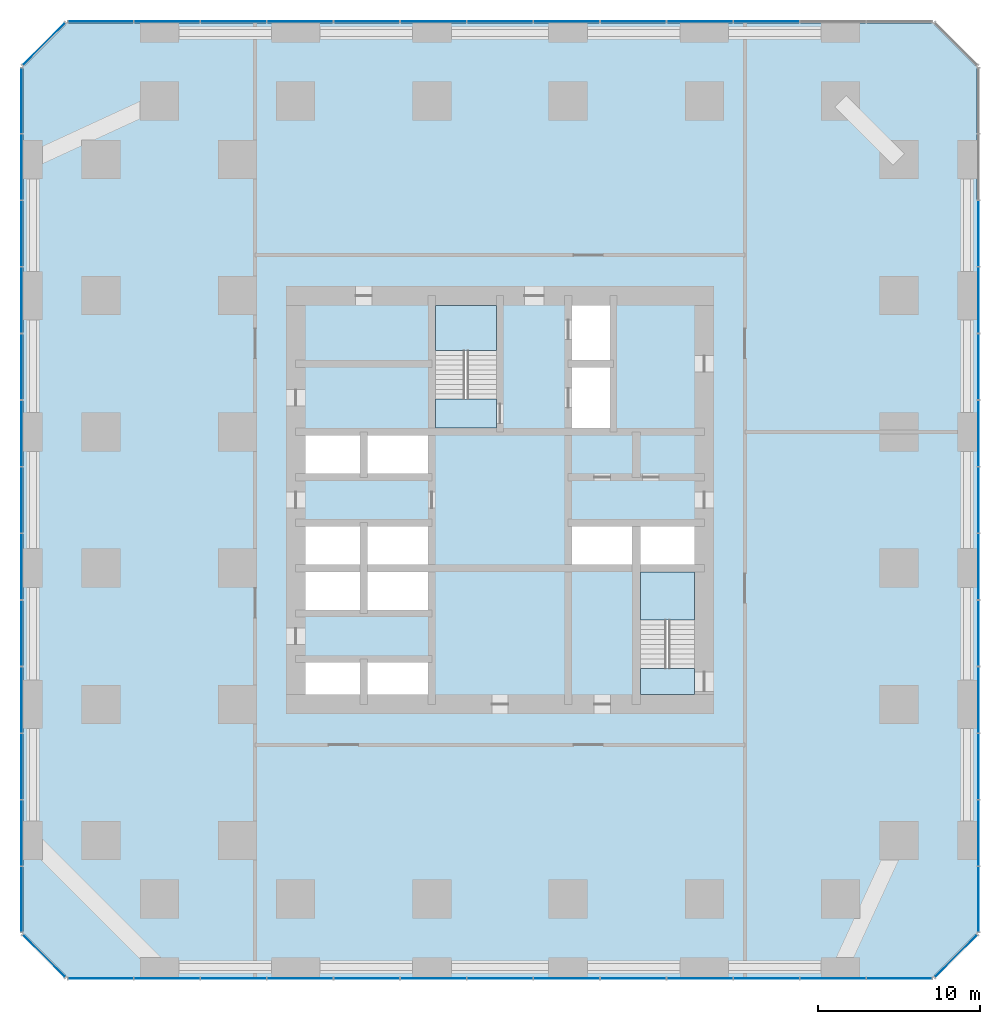
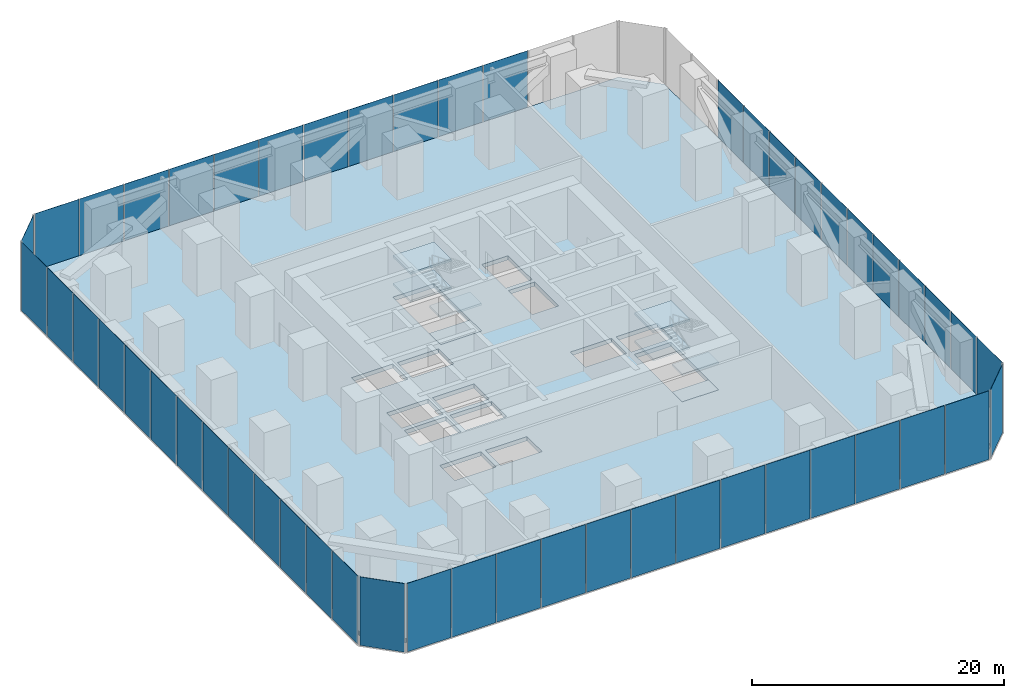
# One storey, part 8 of 11: 51 plates, 9 slabs, 9 elements without a shape of their own.
"""IFC4 building model written with IfcOpenShell, lengths in metres."""

from ifc_helpers import new_model, si_unit, direction, frame, origin, origin_2d, place, context, subcontext, project, spatial, polyline, rectangle, outline, extrude, material, layer, layer_set, type_object, element, aggregate, save


model = new_model("IFC4")

# Units and contexts
model_context = context("Model", 3, precision=1e-05, world=origin(), true_north=direction((0.0, 1.0)))
body_context = subcontext(model_context, "Body", "Model", "MODEL_VIEW")
ifc_project = project(units=[si_unit("LENGTHUNIT", "METRE"), si_unit("AREAUNIT", "SQUARE_METRE"), si_unit("VOLUMEUNIT", "CUBIC_METRE"), si_unit("PLANEANGLEUNIT", "RADIAN"), si_unit("MASSUNIT", "GRAM", prefix="KILO")], contexts=[model_context])

# Site, building, storey
site_placement = place(None, origin())
site = spatial("IfcSite", under=ifc_project, at=site_placement, CompositionType="ELEMENT")
building_placement = place(site_placement, origin())
building = spatial("IfcBuilding", under=site, at=building_placement, Name="Dunama Terrace Hotel", CompositionType="ELEMENT")
storey_placement = place(building_placement, frame((0.0, 0.0, 88.199951171875)))
storey = spatial("IfcBuildingStorey", under=building, at=storey_placement, Name="L22", CompositionType="ELEMENT", Elevation=88.199951171875)

# Curtain wall, plates
ifc_material_1 = material(Name="Aluminium curtain wall system", Category="aluminium")
curtain_wall_type = type_object("IfcCurtainWallType", Name="Plant floor louvred glazing CW-G", PredefinedType="NOTDEFINED", material=ifc_material_1)
curtain_wall_1_placement = place(storey_placement, origin())
curtain_wall_1 = element("IfcCurtainWall", 1, at=curtain_wall_1_placement, inside=storey, type_object=curtain_wall_type, Name="Plant floor louvred glazing CW-G L22", PredefinedType="NOTDEFINED")
ifc_material_2 = material(Name="Aluminium louvre blades", Category="aluminium")
ifc_layer_1 = layer(ifc_material_2, 0.02392578125)
ifc_layer_set_1 = layer_set([ifc_layer_1], Name="CWG louvre panel")
plate_type = type_object("IfcPlateType", Name="CWG louvre panel", PredefinedType="CURTAIN_PANEL", material=ifc_layer_set_1)
plate_1_placement = place(storey_placement, frame((4.77294921875, -0.10009765625, -1.23583984375), z_axis=(0.0, 0.0, 1.0), x_axis=(1.0, 0.0, 0.0)))
plate_1 = element("IfcPlate", 2, at=plate_1_placement, type_object=plate_type, Name="CWG louvre panel", PredefinedType="CURTAIN_PANEL", context=body_context, shape_type="SweptSolid", body=[
    extrude(rectangle(XDim=3.9951171875, YDim=0.02392578125, at=origin_2d()), origin(), (0.0, 0.0, 1.0), 6.635986328125),
])
plate_2_placement = place(storey_placement, frame((8.862060546875, -0.10009765625, -1.23583984375), z_axis=(0.0, 0.0, 1.0), x_axis=(1.0, 0.0, 0.0)))
plate_2 = element("IfcPlate", 3, at=plate_2_placement, type_object=plate_type, Name="CWG louvre panel", PredefinedType="CURTAIN_PANEL", context=body_context, shape_type="SweptSolid", body=[
    extrude(rectangle(XDim=4.03271484375, YDim=0.02392578125, at=origin_2d()), origin(), (0.0, 0.0, 1.0), 6.635986328125),
])
plate_3_placement = place(storey_placement, frame((12.968994140625, -0.10009765625, -1.23583984375), z_axis=(0.0, 0.0, 1.0), x_axis=(1.0, 0.0, 0.0)))
plate_3 = element("IfcPlate", 4, at=plate_3_placement, type_object=plate_type, Name="CWG louvre panel", PredefinedType="CURTAIN_PANEL", context=body_context, shape_type="SweptSolid", body=[
    extrude(rectangle(XDim=4.03271484375, YDim=0.02392578125, at=origin_2d()), origin(), (0.0, 0.0, 1.0), 6.635986328125),
])
plate_4_placement = place(storey_placement, frame((17.076904296875, -0.10009765625, -1.23583984375), z_axis=(0.0, 0.0, 1.0), x_axis=(1.0, 0.0, 0.0)))
plate_4 = element("IfcPlate", 5, at=plate_4_placement, type_object=plate_type, Name="CWG louvre panel", PredefinedType="CURTAIN_PANEL", context=body_context, shape_type="SweptSolid", body=[
    extrude(rectangle(XDim=4.03271484375, YDim=0.02392578125, at=origin_2d()), origin(), (0.0, 0.0, 1.0), 6.635986328125),
])
plate_5_placement = place(storey_placement, frame((21.18505859375, -0.10009765625, -1.23583984375), z_axis=(0.0, 0.0, 1.0), x_axis=(1.0, 0.0, 0.0)))
plate_5 = element("IfcPlate", 6, at=plate_5_placement, type_object=plate_type, Name="CWG louvre panel", PredefinedType="CURTAIN_PANEL", context=body_context, shape_type="SweptSolid", body=[
    extrude(rectangle(XDim=4.03271484375, YDim=0.02392578125, at=origin_2d()), origin(), (0.0, 0.0, 1.0), 6.635986328125),
])
plate_6_placement = place(storey_placement, frame((25.2919921875, -0.10009765625, -1.23583984375), z_axis=(0.0, 0.0, 1.0), x_axis=(1.0, 0.0, 0.0)))
plate_6 = element("IfcPlate", 7, at=plate_6_placement, type_object=plate_type, Name="CWG louvre panel", PredefinedType="CURTAIN_PANEL", context=body_context, shape_type="SweptSolid", body=[
    extrude(rectangle(XDim=4.03271484375, YDim=0.02392578125, at=origin_2d()), origin(), (0.0, 0.0, 1.0), 6.635986328125),
])
plate_7_placement = place(storey_placement, frame((29.39990234375, -0.10009765625, -1.23583984375), z_axis=(0.0, 0.0, 1.0), x_axis=(1.0, 0.0, 0.0)))
plate_7 = element("IfcPlate", 8, at=plate_7_placement, type_object=plate_type, Name="CWG louvre panel", PredefinedType="CURTAIN_PANEL", context=body_context, shape_type="SweptSolid", body=[
    extrude(rectangle(XDim=4.03271484375, YDim=0.02392578125, at=origin_2d()), origin(), (0.0, 0.0, 1.0), 6.635986328125),
])
plate_8_placement = place(storey_placement, frame((33.508056640625, -0.10009765625, -1.23583984375), z_axis=(0.0, 0.0, 1.0), x_axis=(1.0, 0.0, 0.0)))
plate_8 = element("IfcPlate", 9, at=plate_8_placement, type_object=plate_type, Name="CWG louvre panel", PredefinedType="CURTAIN_PANEL", context=body_context, shape_type="SweptSolid", body=[
    extrude(rectangle(XDim=4.03271484375, YDim=0.02392578125, at=origin_2d()), origin(), (0.0, 0.0, 1.0), 6.635986328125),
])
plate_9_placement = place(storey_placement, frame((37.614990234375, -0.10009765625, -1.23583984375), z_axis=(0.0, 0.0, 1.0), x_axis=(1.0, 0.0, 0.0)))
plate_9 = element("IfcPlate", 10, at=plate_9_placement, type_object=plate_type, Name="CWG louvre panel", PredefinedType="CURTAIN_PANEL", context=body_context, shape_type="SweptSolid", body=[
    extrude(rectangle(XDim=4.03271484375, YDim=0.02392578125, at=origin_2d()), origin(), (0.0, 0.0, 1.0), 6.635986328125),
])
plate_10_placement = place(storey_placement, frame((41.722900390625, -0.10009765625, -1.23583984375), z_axis=(0.0, 0.0, 1.0), x_axis=(1.0, 0.0, 0.0)))
plate_10 = element("IfcPlate", 11, at=plate_10_placement, type_object=plate_type, Name="CWG louvre panel", PredefinedType="CURTAIN_PANEL", context=body_context, shape_type="SweptSolid", body=[
    extrude(rectangle(XDim=4.03271484375, YDim=0.02392578125, at=origin_2d()), origin(), (0.0, 0.0, 1.0), 6.635986328125),
])
plate_11_placement = place(storey_placement, frame((45.8310546875, -0.10009765625, -1.23583984375), z_axis=(0.0, 0.0, 1.0), x_axis=(1.0, 0.0, 0.0)))
plate_11 = element("IfcPlate", 12, at=plate_11_placement, type_object=plate_type, Name="CWG louvre panel", PredefinedType="CURTAIN_PANEL", context=body_context, shape_type="SweptSolid", body=[
    extrude(rectangle(XDim=4.03271484375, YDim=0.02392578125, at=origin_2d()), origin(), (0.0, 0.0, 1.0), 6.635986328125),
])
plate_12_placement = place(storey_placement, frame((49.93798828125, -0.10009765625, -1.23583984375), z_axis=(0.0, 0.0, 1.0), x_axis=(1.0, 0.0, 0.0)))
plate_12 = element("IfcPlate", 13, at=plate_12_placement, type_object=plate_type, Name="CWG louvre panel", PredefinedType="CURTAIN_PANEL", context=body_context, shape_type="SweptSolid", body=[
    extrude(rectangle(XDim=4.03271484375, YDim=0.02392578125, at=origin_2d()), origin(), (0.0, 0.0, 1.0), 6.635986328125),
])
plate_13_placement = place(storey_placement, frame((54.027099609375, -0.10009765625, -1.23583984375), z_axis=(0.0, 0.0, 1.0), x_axis=(1.0, 0.0, 0.0)))
plate_13 = element("IfcPlate", 14, at=plate_13_placement, type_object=plate_type, Name="CWG louvre panel", PredefinedType="CURTAIN_PANEL", context=body_context, shape_type="SweptSolid", body=[
    extrude(rectangle(XDim=3.9951171875, YDim=0.02392578125, at=origin_2d()), origin(), (0.0, 0.0, 1.0), 6.635986328125),
])
aggregate(curtain_wall_1, [plate_1, plate_2, plate_3, plate_4, plate_5, plate_6, plate_7, plate_8, plate_9, plate_10, plate_11, plate_12, plate_13])

# Curtain wall, plate
curtain_wall_2_placement = place(storey_placement, origin())
curtain_wall_2 = element("IfcCurtainWall", 15, at=curtain_wall_2_placement, inside=storey, type_object=curtain_wall_type, Name="Plant floor louvred glazing CW-G L22", PredefinedType="NOTDEFINED")
plate_14_placement = place(storey_placement, frame((57.52099609375, 1.279052734375, -1.23583984375), z_axis=(0.0, 0.0, 1.0), x_axis=(0.707106781187, 0.707106781187, 0.0)))
plate_14 = element("IfcPlate", 16, at=plate_14_placement, type_object=plate_type, Name="CWG louvre panel", PredefinedType="CURTAIN_PANEL", context=body_context, shape_type="SweptSolid", body=[
    extrude(rectangle(XDim=3.66845703125, YDim=0.02392578125, at=origin_2d()), origin(), (0.0, 0.0, 1.0), 6.635986328125),
])
aggregate(curtain_wall_2, [plate_14])

# Curtain wall, plates
curtain_wall_3_placement = place(storey_placement, origin())
curtain_wall_3 = element("IfcCurtainWall", 17, at=curtain_wall_3_placement, inside=storey, type_object=curtain_wall_type, Name="Plant floor louvred glazing CW-G L22", PredefinedType="NOTDEFINED")
plate_15_placement = place(storey_placement, frame((58.89990234375, 4.77294921875, -1.23583984375), z_axis=(0.0, 0.0, 1.0), x_axis=(0.0, 1.0, 0.0)))
plate_15 = element("IfcPlate", 18, at=plate_15_placement, type_object=plate_type, Name="CWG louvre panel", PredefinedType="CURTAIN_PANEL", context=body_context, shape_type="SweptSolid", body=[
    extrude(rectangle(XDim=3.9951171875, YDim=0.02392578125, at=origin_2d()), origin(), (0.0, 0.0, 1.0), 6.635986328125),
])
plate_16_placement = place(storey_placement, frame((58.89990234375, 8.862060546875, -1.23583984375), z_axis=(0.0, 0.0, 1.0), x_axis=(0.0, 1.0, 0.0)))
plate_16 = element("IfcPlate", 19, at=plate_16_placement, type_object=plate_type, Name="CWG louvre panel", PredefinedType="CURTAIN_PANEL", context=body_context, shape_type="SweptSolid", body=[
    extrude(rectangle(XDim=4.03271484375, YDim=0.02392578125, at=origin_2d()), origin(), (0.0, 0.0, 1.0), 6.635986328125),
])
plate_17_placement = place(storey_placement, frame((58.89990234375, 12.968994140625, -1.23583984375), z_axis=(0.0, 0.0, 1.0), x_axis=(0.0, 1.0, 0.0)))
plate_17 = element("IfcPlate", 20, at=plate_17_placement, type_object=plate_type, Name="CWG louvre panel", PredefinedType="CURTAIN_PANEL", context=body_context, shape_type="SweptSolid", body=[
    extrude(rectangle(XDim=4.03271484375, YDim=0.02392578125, at=origin_2d()), origin(), (0.0, 0.0, 1.0), 6.635986328125),
])
plate_18_placement = place(storey_placement, frame((58.89990234375, 17.076904296875, -1.23583984375), z_axis=(0.0, 0.0, 1.0), x_axis=(0.0, 1.0, 0.0)))
plate_18 = element("IfcPlate", 21, at=plate_18_placement, type_object=plate_type, Name="CWG louvre panel", PredefinedType="CURTAIN_PANEL", context=body_context, shape_type="SweptSolid", body=[
    extrude(rectangle(XDim=4.03271484375, YDim=0.02392578125, at=origin_2d()), origin(), (0.0, 0.0, 1.0), 6.635986328125),
])
plate_19_placement = place(storey_placement, frame((58.89990234375, 21.18505859375, -1.23583984375), z_axis=(0.0, 0.0, 1.0), x_axis=(0.0, 1.0, 0.0)))
plate_19 = element("IfcPlate", 22, at=plate_19_placement, type_object=plate_type, Name="CWG louvre panel", PredefinedType="CURTAIN_PANEL", context=body_context, shape_type="SweptSolid", body=[
    extrude(rectangle(XDim=4.03271484375, YDim=0.02392578125, at=origin_2d()), origin(), (0.0, 0.0, 1.0), 6.635986328125),
])
plate_20_placement = place(storey_placement, frame((58.89990234375, 25.2919921875, -1.23583984375), z_axis=(0.0, 0.0, 1.0), x_axis=(0.0, 1.0, 0.0)))
plate_20 = element("IfcPlate", 23, at=plate_20_placement, type_object=plate_type, Name="CWG louvre panel", PredefinedType="CURTAIN_PANEL", context=body_context, shape_type="SweptSolid", body=[
    extrude(rectangle(XDim=4.03271484375, YDim=0.02392578125, at=origin_2d()), origin(), (0.0, 0.0, 1.0), 6.635986328125),
])
plate_21_placement = place(storey_placement, frame((58.89990234375, 29.39990234375, -1.23583984375), z_axis=(0.0, 0.0, 1.0), x_axis=(0.0, 1.0, 0.0)))
plate_21 = element("IfcPlate", 24, at=plate_21_placement, type_object=plate_type, Name="CWG louvre panel", PredefinedType="CURTAIN_PANEL", context=body_context, shape_type="SweptSolid", body=[
    extrude(rectangle(XDim=4.03271484375, YDim=0.02392578125, at=origin_2d()), origin(), (0.0, 0.0, 1.0), 6.635986328125),
])
plate_22_placement = place(storey_placement, frame((58.89990234375, 33.508056640625, -1.23583984375), z_axis=(0.0, 0.0, 1.0), x_axis=(0.0, 1.0, 0.0)))
plate_22 = element("IfcPlate", 25, at=plate_22_placement, type_object=plate_type, Name="CWG louvre panel", PredefinedType="CURTAIN_PANEL", context=body_context, shape_type="SweptSolid", body=[
    extrude(rectangle(XDim=4.03271484375, YDim=0.02392578125, at=origin_2d()), origin(), (0.0, 0.0, 1.0), 6.635986328125),
])
plate_23_placement = place(storey_placement, frame((58.89990234375, 37.614990234375, -1.23583984375), z_axis=(0.0, 0.0, 1.0), x_axis=(0.0, 1.0, 0.0)))
plate_23 = element("IfcPlate", 26, at=plate_23_placement, type_object=plate_type, Name="CWG louvre panel", PredefinedType="CURTAIN_PANEL", context=body_context, shape_type="SweptSolid", body=[
    extrude(rectangle(XDim=4.03271484375, YDim=0.02392578125, at=origin_2d()), origin(), (0.0, 0.0, 1.0), 6.635986328125),
])
plate_24_placement = place(storey_placement, frame((58.89990234375, 41.722900390625, -1.23583984375), z_axis=(0.0, 0.0, 1.0), x_axis=(0.0, 1.0, 0.0)))
plate_24 = element("IfcPlate", 27, at=plate_24_placement, type_object=plate_type, Name="CWG louvre panel", PredefinedType="CURTAIN_PANEL", context=body_context, shape_type="SweptSolid", body=[
    extrude(rectangle(XDim=4.03271484375, YDim=0.02392578125, at=origin_2d()), origin(), (0.0, 0.0, 1.0), 6.635986328125),
])
plate_25_placement = place(storey_placement, frame((58.89990234375, 45.8310546875, -1.23583984375), z_axis=(0.0, 0.0, 1.0), x_axis=(0.0, 1.0, 0.0)))
plate_25 = element("IfcPlate", 28, at=plate_25_placement, type_object=plate_type, Name="CWG louvre panel", PredefinedType="CURTAIN_PANEL", context=body_context, shape_type="SweptSolid", body=[
    extrude(rectangle(XDim=4.03271484375, YDim=0.02392578125, at=origin_2d()), origin(), (0.0, 0.0, 1.0), 6.635986328125),
])
aggregate(curtain_wall_3, [plate_15, plate_16, plate_17, plate_18, plate_19, plate_20, plate_21, plate_22, plate_23, plate_24, plate_25])

curtain_wall_4_placement = place(storey_placement, origin())
curtain_wall_4 = element("IfcCurtainWall", 29, at=curtain_wall_4_placement, inside=storey, type_object=curtain_wall_type, Name="Plant floor louvred glazing CW-G L22", PredefinedType="NOTDEFINED")
plate_26_placement = place(storey_placement, frame((45.8310546875, 58.89990234375, -1.23583984375), z_axis=(0.0, 0.0, 1.0), x_axis=(-1.0, 0.0, 0.0)))
plate_26 = element("IfcPlate", 30, at=plate_26_placement, type_object=plate_type, Name="CWG louvre panel", PredefinedType="CURTAIN_PANEL", context=body_context, shape_type="SweptSolid", body=[
    extrude(rectangle(XDim=4.03271484375, YDim=0.02392578125, at=origin_2d()), origin(), (0.0, 0.0, 1.0), 6.635986328125),
])
plate_27_placement = place(storey_placement, frame((41.722900390625, 58.89990234375, -1.23583984375), z_axis=(0.0, 0.0, 1.0), x_axis=(-1.0, 0.0, 0.0)))
plate_27 = element("IfcPlate", 31, at=plate_27_placement, type_object=plate_type, Name="CWG louvre panel", PredefinedType="CURTAIN_PANEL", context=body_context, shape_type="SweptSolid", body=[
    extrude(rectangle(XDim=4.03271484375, YDim=0.02392578125, at=origin_2d()), origin(), (0.0, 0.0, 1.0), 6.635986328125),
])
plate_28_placement = place(storey_placement, frame((37.614990234375, 58.89990234375, -1.23583984375), z_axis=(0.0, 0.0, 1.0), x_axis=(-1.0, 0.0, 0.0)))
plate_28 = element("IfcPlate", 32, at=plate_28_placement, type_object=plate_type, Name="CWG louvre panel", PredefinedType="CURTAIN_PANEL", context=body_context, shape_type="SweptSolid", body=[
    extrude(rectangle(XDim=4.03271484375, YDim=0.02392578125, at=origin_2d()), origin(), (0.0, 0.0, 1.0), 6.635986328125),
])
plate_29_placement = place(storey_placement, frame((33.508056640625, 58.89990234375, -1.23583984375), z_axis=(0.0, 0.0, 1.0), x_axis=(-1.0, 0.0, 0.0)))
plate_29 = element("IfcPlate", 33, at=plate_29_placement, type_object=plate_type, Name="CWG louvre panel", PredefinedType="CURTAIN_PANEL", context=body_context, shape_type="SweptSolid", body=[
    extrude(rectangle(XDim=4.03271484375, YDim=0.02392578125, at=origin_2d()), origin(), (0.0, 0.0, 1.0), 6.635986328125),
])
plate_30_placement = place(storey_placement, frame((29.39990234375, 58.89990234375, -1.23583984375), z_axis=(0.0, 0.0, 1.0), x_axis=(-1.0, 0.0, 0.0)))
plate_30 = element("IfcPlate", 34, at=plate_30_placement, type_object=plate_type, Name="CWG louvre panel", PredefinedType="CURTAIN_PANEL", context=body_context, shape_type="SweptSolid", body=[
    extrude(rectangle(XDim=4.03271484375, YDim=0.02392578125, at=origin_2d()), origin(), (0.0, 0.0, 1.0), 6.635986328125),
])
plate_31_placement = place(storey_placement, frame((25.2919921875, 58.89990234375, -1.23583984375), z_axis=(0.0, 0.0, 1.0), x_axis=(-1.0, 0.0, 0.0)))
plate_31 = element("IfcPlate", 35, at=plate_31_placement, type_object=plate_type, Name="CWG louvre panel", PredefinedType="CURTAIN_PANEL", context=body_context, shape_type="SweptSolid", body=[
    extrude(rectangle(XDim=4.03271484375, YDim=0.02392578125, at=origin_2d()), origin(), (0.0, 0.0, 1.0), 6.635986328125),
])
plate_32_placement = place(storey_placement, frame((21.18505859375, 58.89990234375, -1.23583984375), z_axis=(0.0, 0.0, 1.0), x_axis=(-1.0, 0.0, 0.0)))
plate_32 = element("IfcPlate", 36, at=plate_32_placement, type_object=plate_type, Name="CWG louvre panel", PredefinedType="CURTAIN_PANEL", context=body_context, shape_type="SweptSolid", body=[
    extrude(rectangle(XDim=4.03271484375, YDim=0.02392578125, at=origin_2d()), origin(), (0.0, 0.0, 1.0), 6.635986328125),
])
plate_33_placement = place(storey_placement, frame((17.076904296875, 58.89990234375, -1.23583984375), z_axis=(0.0, 0.0, 1.0), x_axis=(-1.0, 0.0, 0.0)))
plate_33 = element("IfcPlate", 37, at=plate_33_placement, type_object=plate_type, Name="CWG louvre panel", PredefinedType="CURTAIN_PANEL", context=body_context, shape_type="SweptSolid", body=[
    extrude(rectangle(XDim=4.03271484375, YDim=0.02392578125, at=origin_2d()), origin(), (0.0, 0.0, 1.0), 6.635986328125),
])
plate_34_placement = place(storey_placement, frame((12.968994140625, 58.89990234375, -1.23583984375), z_axis=(0.0, 0.0, 1.0), x_axis=(-1.0, 0.0, 0.0)))
plate_34 = element("IfcPlate", 38, at=plate_34_placement, type_object=plate_type, Name="CWG louvre panel", PredefinedType="CURTAIN_PANEL", context=body_context, shape_type="SweptSolid", body=[
    extrude(rectangle(XDim=4.03271484375, YDim=0.02392578125, at=origin_2d()), origin(), (0.0, 0.0, 1.0), 6.635986328125),
])
plate_35_placement = place(storey_placement, frame((8.862060546875, 58.89990234375, -1.23583984375), z_axis=(0.0, 0.0, 1.0), x_axis=(-1.0, 0.0, 0.0)))
plate_35 = element("IfcPlate", 39, at=plate_35_placement, type_object=plate_type, Name="CWG louvre panel", PredefinedType="CURTAIN_PANEL", context=body_context, shape_type="SweptSolid", body=[
    extrude(rectangle(XDim=4.03271484375, YDim=0.02392578125, at=origin_2d()), origin(), (0.0, 0.0, 1.0), 6.635986328125),
])
plate_36_placement = place(storey_placement, frame((4.77294921875, 58.89990234375, -1.23583984375), z_axis=(0.0, 0.0, 1.0), x_axis=(-1.0, 0.0, 0.0)))
plate_36 = element("IfcPlate", 40, at=plate_36_placement, type_object=plate_type, Name="CWG louvre panel", PredefinedType="CURTAIN_PANEL", context=body_context, shape_type="SweptSolid", body=[
    extrude(rectangle(XDim=3.9951171875, YDim=0.02392578125, at=origin_2d()), origin(), (0.0, 0.0, 1.0), 6.635986328125),
])
aggregate(curtain_wall_4, [plate_26, plate_27, plate_28, plate_29, plate_30, plate_31, plate_32, plate_33, plate_34, plate_35, plate_36])

# Curtain wall, plate
curtain_wall_5_placement = place(storey_placement, origin())
curtain_wall_5 = element("IfcCurtainWall", 41, at=curtain_wall_5_placement, inside=storey, type_object=curtain_wall_type, Name="Plant floor louvred glazing CW-G L22", PredefinedType="NOTDEFINED")
plate_37_placement = place(storey_placement, frame((1.279052734375, 57.52099609375, -1.23583984375), z_axis=(0.0, 0.0, 1.0), x_axis=(-0.707106781187, -0.707106781187, 0.0)))
plate_37 = element("IfcPlate", 42, at=plate_37_placement, type_object=plate_type, Name="CWG louvre panel", PredefinedType="CURTAIN_PANEL", context=body_context, shape_type="SweptSolid", body=[
    extrude(rectangle(XDim=3.66845703125, YDim=0.02392578125, at=origin_2d()), origin(), (0.0, 0.0, 1.0), 6.635986328125),
])
aggregate(curtain_wall_5, [plate_37])

# Curtain wall, plates
curtain_wall_6_placement = place(storey_placement, origin())
curtain_wall_6 = element("IfcCurtainWall", 43, at=curtain_wall_6_placement, inside=storey, type_object=curtain_wall_type, Name="Plant floor louvred glazing CW-G L22", PredefinedType="NOTDEFINED")
plate_38_placement = place(storey_placement, frame((-0.10009765625, 54.027099609375, -1.23583984375), z_axis=(0.0, 0.0, 1.0), x_axis=(0.0, -1.0, 0.0)))
plate_38 = element("IfcPlate", 44, at=plate_38_placement, type_object=plate_type, Name="CWG louvre panel", PredefinedType="CURTAIN_PANEL", context=body_context, shape_type="SweptSolid", body=[
    extrude(rectangle(XDim=3.9951171875, YDim=0.02392578125, at=origin_2d()), origin(), (0.0, 0.0, 1.0), 6.635986328125),
])
plate_39_placement = place(storey_placement, frame((-0.10009765625, 49.93798828125, -1.23583984375), z_axis=(0.0, 0.0, 1.0), x_axis=(0.0, -1.0, 0.0)))
plate_39 = element("IfcPlate", 45, at=plate_39_placement, type_object=plate_type, Name="CWG louvre panel", PredefinedType="CURTAIN_PANEL", context=body_context, shape_type="SweptSolid", body=[
    extrude(rectangle(XDim=4.03271484375, YDim=0.02392578125, at=origin_2d()), origin(), (0.0, 0.0, 1.0), 6.635986328125),
])
plate_40_placement = place(storey_placement, frame((-0.10009765625, 45.8310546875, -1.23583984375), z_axis=(0.0, 0.0, 1.0), x_axis=(0.0, -1.0, 0.0)))
plate_40 = element("IfcPlate", 46, at=plate_40_placement, type_object=plate_type, Name="CWG louvre panel", PredefinedType="CURTAIN_PANEL", context=body_context, shape_type="SweptSolid", body=[
    extrude(rectangle(XDim=4.03271484375, YDim=0.02392578125, at=origin_2d()), origin(), (0.0, 0.0, 1.0), 6.635986328125),
])
plate_41_placement = place(storey_placement, frame((-0.10009765625, 41.722900390625, -1.23583984375), z_axis=(0.0, 0.0, 1.0), x_axis=(0.0, -1.0, 0.0)))
plate_41 = element("IfcPlate", 47, at=plate_41_placement, type_object=plate_type, Name="CWG louvre panel", PredefinedType="CURTAIN_PANEL", context=body_context, shape_type="SweptSolid", body=[
    extrude(rectangle(XDim=4.03271484375, YDim=0.02392578125, at=origin_2d()), origin(), (0.0, 0.0, 1.0), 6.635986328125),
])
plate_42_placement = place(storey_placement, frame((-0.10009765625, 37.614990234375, -1.23583984375), z_axis=(0.0, 0.0, 1.0), x_axis=(0.0, -1.0, 0.0)))
plate_42 = element("IfcPlate", 48, at=plate_42_placement, type_object=plate_type, Name="CWG louvre panel", PredefinedType="CURTAIN_PANEL", context=body_context, shape_type="SweptSolid", body=[
    extrude(rectangle(XDim=4.03271484375, YDim=0.02392578125, at=origin_2d()), origin(), (0.0, 0.0, 1.0), 6.635986328125),
])
plate_43_placement = place(storey_placement, frame((-0.10009765625, 33.508056640625, -1.23583984375), z_axis=(0.0, 0.0, 1.0), x_axis=(0.0, -1.0, 0.0)))
plate_43 = element("IfcPlate", 49, at=plate_43_placement, type_object=plate_type, Name="CWG louvre panel", PredefinedType="CURTAIN_PANEL", context=body_context, shape_type="SweptSolid", body=[
    extrude(rectangle(XDim=4.03271484375, YDim=0.02392578125, at=origin_2d()), origin(), (0.0, 0.0, 1.0), 6.635986328125),
])
plate_44_placement = place(storey_placement, frame((-0.10009765625, 29.39990234375, -1.23583984375), z_axis=(0.0, 0.0, 1.0), x_axis=(0.0, -1.0, 0.0)))
plate_44 = element("IfcPlate", 50, at=plate_44_placement, type_object=plate_type, Name="CWG louvre panel", PredefinedType="CURTAIN_PANEL", context=body_context, shape_type="SweptSolid", body=[
    extrude(rectangle(XDim=4.03271484375, YDim=0.02392578125, at=origin_2d()), origin(), (0.0, 0.0, 1.0), 6.635986328125),
])
plate_45_placement = place(storey_placement, frame((-0.10009765625, 25.2919921875, -1.23583984375), z_axis=(0.0, 0.0, 1.0), x_axis=(0.0, -1.0, 0.0)))
plate_45 = element("IfcPlate", 51, at=plate_45_placement, type_object=plate_type, Name="CWG louvre panel", PredefinedType="CURTAIN_PANEL", context=body_context, shape_type="SweptSolid", body=[
    extrude(rectangle(XDim=4.03271484375, YDim=0.02392578125, at=origin_2d()), origin(), (0.0, 0.0, 1.0), 6.635986328125),
])
plate_46_placement = place(storey_placement, frame((-0.10009765625, 21.18505859375, -1.23583984375), z_axis=(0.0, 0.0, 1.0), x_axis=(0.0, -1.0, 0.0)))
plate_46 = element("IfcPlate", 52, at=plate_46_placement, type_object=plate_type, Name="CWG louvre panel", PredefinedType="CURTAIN_PANEL", context=body_context, shape_type="SweptSolid", body=[
    extrude(rectangle(XDim=4.03271484375, YDim=0.02392578125, at=origin_2d()), origin(), (0.0, 0.0, 1.0), 6.635986328125),
])
plate_47_placement = place(storey_placement, frame((-0.10009765625, 17.076904296875, -1.23583984375), z_axis=(0.0, 0.0, 1.0), x_axis=(0.0, -1.0, 0.0)))
plate_47 = element("IfcPlate", 53, at=plate_47_placement, type_object=plate_type, Name="CWG louvre panel", PredefinedType="CURTAIN_PANEL", context=body_context, shape_type="SweptSolid", body=[
    extrude(rectangle(XDim=4.03271484375, YDim=0.02392578125, at=origin_2d()), origin(), (0.0, 0.0, 1.0), 6.635986328125),
])
plate_48_placement = place(storey_placement, frame((-0.10009765625, 12.968994140625, -1.23583984375), z_axis=(0.0, 0.0, 1.0), x_axis=(0.0, -1.0, 0.0)))
plate_48 = element("IfcPlate", 54, at=plate_48_placement, type_object=plate_type, Name="CWG louvre panel", PredefinedType="CURTAIN_PANEL", context=body_context, shape_type="SweptSolid", body=[
    extrude(rectangle(XDim=4.03271484375, YDim=0.02392578125, at=origin_2d()), origin(), (0.0, 0.0, 1.0), 6.635986328125),
])
plate_49_placement = place(storey_placement, frame((-0.10009765625, 8.862060546875, -1.23583984375), z_axis=(0.0, 0.0, 1.0), x_axis=(0.0, -1.0, 0.0)))
plate_49 = element("IfcPlate", 55, at=plate_49_placement, type_object=plate_type, Name="CWG louvre panel", PredefinedType="CURTAIN_PANEL", context=body_context, shape_type="SweptSolid", body=[
    extrude(rectangle(XDim=4.03271484375, YDim=0.02392578125, at=origin_2d()), origin(), (0.0, 0.0, 1.0), 6.635986328125),
])
plate_50_placement = place(storey_placement, frame((-0.10009765625, 4.77294921875, -1.23583984375), z_axis=(0.0, 0.0, 1.0), x_axis=(0.0, -1.0, 0.0)))
plate_50 = element("IfcPlate", 56, at=plate_50_placement, type_object=plate_type, Name="CWG louvre panel", PredefinedType="CURTAIN_PANEL", context=body_context, shape_type="SweptSolid", body=[
    extrude(rectangle(XDim=3.9951171875, YDim=0.02392578125, at=origin_2d()), origin(), (0.0, 0.0, 1.0), 6.635986328125),
])
aggregate(curtain_wall_6, [plate_38, plate_39, plate_40, plate_41, plate_42, plate_43, plate_44, plate_45, plate_46, plate_47, plate_48, plate_49, plate_50])

# Curtain wall, plate
curtain_wall_7_placement = place(storey_placement, origin())
curtain_wall_7 = element("IfcCurtainWall", 57, at=curtain_wall_7_placement, inside=storey, type_object=curtain_wall_type, Name="Plant floor louvred glazing CW-G L22", PredefinedType="NOTDEFINED")
plate_51_placement = place(storey_placement, frame((1.279052734375, 1.279052734375, -1.23583984375), z_axis=(0.0, 0.0, 1.0), x_axis=(0.707106781187, -0.707106781187, 0.0)))
plate_51 = element("IfcPlate", 58, at=plate_51_placement, type_object=plate_type, Name="CWG louvre panel", PredefinedType="CURTAIN_PANEL", context=body_context, shape_type="SweptSolid", body=[
    extrude(rectangle(XDim=3.66845703125, YDim=0.02392578125, at=origin_2d()), origin(), (0.0, 0.0, 1.0), 6.635986328125),
])
aggregate(curtain_wall_7, [plate_51])

# Slab
ifc_material_3 = material(Name="Concrete C40/50", Category="concrete")
ifc_layer_2 = layer(ifc_material_3, 0.39990234375)
ifc_layer_set_2 = layer_set([ifc_layer_2], Name="Plant floor plate 400")
slab_type_1 = type_object("IfcSlabType", Name="Plant floor plate 400", PredefinedType="FLOOR", material=ifc_layer_set_2)
slab_1_placement = place(storey_placement, frame((0.0, 0.0, -0.39990234375)))
element("IfcSlab", 59, at=slab_1_placement, inside=storey, type_object=slab_type_1, Name="Floor slab L22", PredefinedType="FLOOR", context=body_context, shape_type="SweptSolid", body=[
    extrude(outline(polyline([(2.699951171875, 0.0), (56.10009765625, 0.0), (58.800048828125, 2.699951171875), (58.800048828125, 56.10009765625), (56.10009765625, 58.800048828125), (2.699951171875, 58.800048828125), (0.0, 56.10009765625), (0.0, 2.699951171875), (2.699951171875, 0.0)]), holes=[polyline([(20.800048828125, 25.39990234375), (20.800048828125, 27.800048828125), (17.0, 27.800048828125), (17.0, 25.39990234375), (20.800048828125, 25.39990234375)]), polyline([(25.0, 25.39990234375), (25.0, 27.800048828125), (21.199951171875, 27.800048828125), (21.199951171875, 25.39990234375), (25.0, 25.39990234375)]), polyline([(20.800048828125, 31.0), (20.800048828125, 33.39990234375), (17.0, 33.39990234375), (17.0, 31.0), (20.800048828125, 31.0)]), polyline([(25.0, 31.0), (25.0, 33.39990234375), (21.199951171875, 33.39990234375), (21.199951171875, 31.0), (25.0, 31.0)]), polyline([(37.60009765625, 25.39990234375), (37.60009765625, 27.800048828125), (33.800048828125, 27.800048828125), (33.800048828125, 25.39990234375), (37.60009765625, 25.39990234375)]), polyline([(41.800048828125, 25.39990234375), (41.800048828125, 27.800048828125), (38.0, 27.800048828125), (38.0, 25.39990234375), (41.800048828125, 25.39990234375)]), polyline([(20.800048828125, 17.0), (20.800048828125, 19.39990234375), (17.0, 19.39990234375), (17.0, 17.0), (20.800048828125, 17.0)]), polyline([(25.0, 17.0), (25.0, 19.39990234375), (21.199951171875, 19.39990234375), (21.199951171875, 17.0), (25.0, 17.0)]), polyline([(20.800048828125, 22.60009765625), (20.800048828125, 25.0), (17.0, 25.0), (17.0, 22.60009765625), (20.800048828125, 22.60009765625)]), polyline([(25.0, 22.60009765625), (25.0, 25.0), (21.199951171875, 25.0), (21.199951171875, 22.60009765625), (25.0, 22.60009765625)]), polyline([(36.199951171875, 38.0), (36.199951171875, 41.800048828125), (33.800048828125, 41.800048828125), (33.800048828125, 38.0), (36.199951171875, 38.0)]), polyline([(36.199951171875, 33.800048828125), (36.199951171875, 37.60009765625), (33.800048828125, 37.60009765625), (33.800048828125, 33.800048828125), (36.199951171875, 33.800048828125)]), polyline([(29.175048828125, 33.824951171875), (29.175048828125, 41.39990234375), (25.425048828125, 41.39990234375), (25.425048828125, 33.824951171875), (29.175048828125, 33.824951171875)]), polyline([(41.39990234375, 17.39990234375), (41.39990234375, 24.97509765625), (38.050048828125, 24.97509765625), (38.050048828125, 17.39990234375), (41.39990234375, 17.39990234375)])]), origin(), (0.0, 0.0, 1.0), 0.39990234375),
])

# Stair, slabs
ifc_material_4 = material(Name="Concrete C40/50", Category="concrete")
stair_type_1 = type_object("IfcStairType", Name="Stair ST1-5400-1800", PredefinedType="HALF_TURN_STAIR", material=ifc_material_4)
stair_1_placement = place(storey_placement, origin())
stair_1 = element("IfcStair", 60, at=stair_1_placement, inside=storey, type_object=stair_type_1, Name="Stair ST1 L22", PredefinedType="HALF_TURN_STAIR")
ifc_material_5 = material(Name="Concrete C40/50", Category="concrete")
ifc_layer_3 = layer(ifc_material_5, 0.199951171875)
ifc_layer_set_3 = layer_set([ifc_layer_3], Name="Stair landing 200")
slab_type_2 = type_object("IfcSlabType", Name="Stair landing 200", PredefinedType="LANDING", material=ifc_layer_set_3)
slab_2_placement = place(storey_placement, frame((0.0, 0.0, -0.199951171875)))
slab_2 = element("IfcSlab", 61, at=slab_2_placement, type_object=slab_type_2, Name="ST1 landing 1, type S10", PredefinedType="LANDING", context=body_context, shape_type="SweptSolid", body=[
    extrude(outline(polyline([(25.425048828125, 33.824951171875), (29.175048828125, 33.824951171875), (29.175048828125, 35.625), (25.425048828125, 35.625), (25.425048828125, 33.824951171875)])), origin(), (0.0, 0.0, 1.0), 0.199951171875),
])
slab_3_placement = place(storey_placement, frame((0.0, 0.0, 1.150146484375)))
slab_3 = element("IfcSlab", 62, at=slab_3_placement, type_object=slab_type_2, Name="ST1 landing 2, type S10", PredefinedType="LANDING", context=body_context, shape_type="SweptSolid", body=[
    extrude(outline(polyline([(25.425048828125, 38.625), (29.175048828125, 38.625), (29.175048828125, 41.39990234375), (25.425048828125, 41.39990234375), (25.425048828125, 38.625)])), origin(), (0.0, 0.0, 1.0), 0.199951171875),
])
slab_4_placement = place(storey_placement, frame((0.0, 0.0, 2.5)))
slab_4 = element("IfcSlab", 63, at=slab_4_placement, type_object=slab_type_2, Name="ST1 landing 3, type S10", PredefinedType="LANDING", context=body_context, shape_type="SweptSolid", body=[
    extrude(outline(polyline([(25.425048828125, 33.824951171875), (29.175048828125, 33.824951171875), (29.175048828125, 35.625), (25.425048828125, 35.625), (25.425048828125, 33.824951171875)])), origin(), (0.0, 0.0, 1.0), 0.199951171875),
])
slab_5_placement = place(storey_placement, frame((0.0, 0.0, 3.85009765625)))
slab_5 = element("IfcSlab", 64, at=slab_5_placement, type_object=slab_type_2, Name="ST1 landing 4, type S10", PredefinedType="LANDING", context=body_context, shape_type="SweptSolid", body=[
    extrude(outline(polyline([(25.425048828125, 38.625), (29.175048828125, 38.625), (29.175048828125, 41.39990234375), (25.425048828125, 41.39990234375), (25.425048828125, 38.625)])), origin(), (0.0, 0.0, 1.0), 0.199951171875),
])
aggregate(stair_1, [slab_2, slab_3, slab_4, slab_5])

ifc_material_6 = material(Name="Concrete C40/50", Category="concrete")
stair_type_2 = type_object("IfcStairType", Name="Stair ST2-5400-1600", PredefinedType="HALF_TURN_STAIR", material=ifc_material_6)
stair_2_placement = place(storey_placement, origin())
stair_2 = element("IfcStair", 65, at=stair_2_placement, inside=storey, type_object=stair_type_2, Name="Stair ST2 L22", PredefinedType="HALF_TURN_STAIR")
slab_6_placement = place(storey_placement, frame((0.0, 0.0, -0.199951171875)))
slab_6 = element("IfcSlab", 66, at=slab_6_placement, type_object=slab_type_2, Name="ST2 landing 1, type S10", PredefinedType="LANDING", context=body_context, shape_type="SweptSolid", body=[
    extrude(outline(polyline([(38.050048828125, 17.39990234375), (41.39990234375, 17.39990234375), (41.39990234375, 19.0), (38.050048828125, 19.0), (38.050048828125, 17.39990234375)])), origin(), (0.0, 0.0, 1.0), 0.199951171875),
])
slab_7_placement = place(storey_placement, frame((0.0, 0.0, 1.150146484375)))
slab_7 = element("IfcSlab", 67, at=slab_7_placement, type_object=slab_type_2, Name="ST2 landing 2, type S10", PredefinedType="LANDING", context=body_context, shape_type="SweptSolid", body=[
    extrude(outline(polyline([(38.050048828125, 22.0), (41.39990234375, 22.0), (41.39990234375, 24.97509765625), (38.050048828125, 24.97509765625), (38.050048828125, 22.0)])), origin(), (0.0, 0.0, 1.0), 0.199951171875),
])
slab_8_placement = place(storey_placement, frame((0.0, 0.0, 2.5)))
slab_8 = element("IfcSlab", 68, at=slab_8_placement, type_object=slab_type_2, Name="ST2 landing 3, type S10", PredefinedType="LANDING", context=body_context, shape_type="SweptSolid", body=[
    extrude(outline(polyline([(38.050048828125, 17.39990234375), (41.39990234375, 17.39990234375), (41.39990234375, 19.0), (38.050048828125, 19.0), (38.050048828125, 17.39990234375)])), origin(), (0.0, 0.0, 1.0), 0.199951171875),
])
slab_9_placement = place(storey_placement, frame((0.0, 0.0, 3.85009765625)))
slab_9 = element("IfcSlab", 69, at=slab_9_placement, type_object=slab_type_2, Name="ST2 landing 4, type S10", PredefinedType="LANDING", context=body_context, shape_type="SweptSolid", body=[
    extrude(outline(polyline([(38.050048828125, 22.0), (41.39990234375, 22.0), (41.39990234375, 24.97509765625), (38.050048828125, 24.97509765625), (38.050048828125, 22.0)])), origin(), (0.0, 0.0, 1.0), 0.199951171875),
])
aggregate(stair_2, [slab_6, slab_7, slab_8, slab_9])

save(model, "model.ifc")
